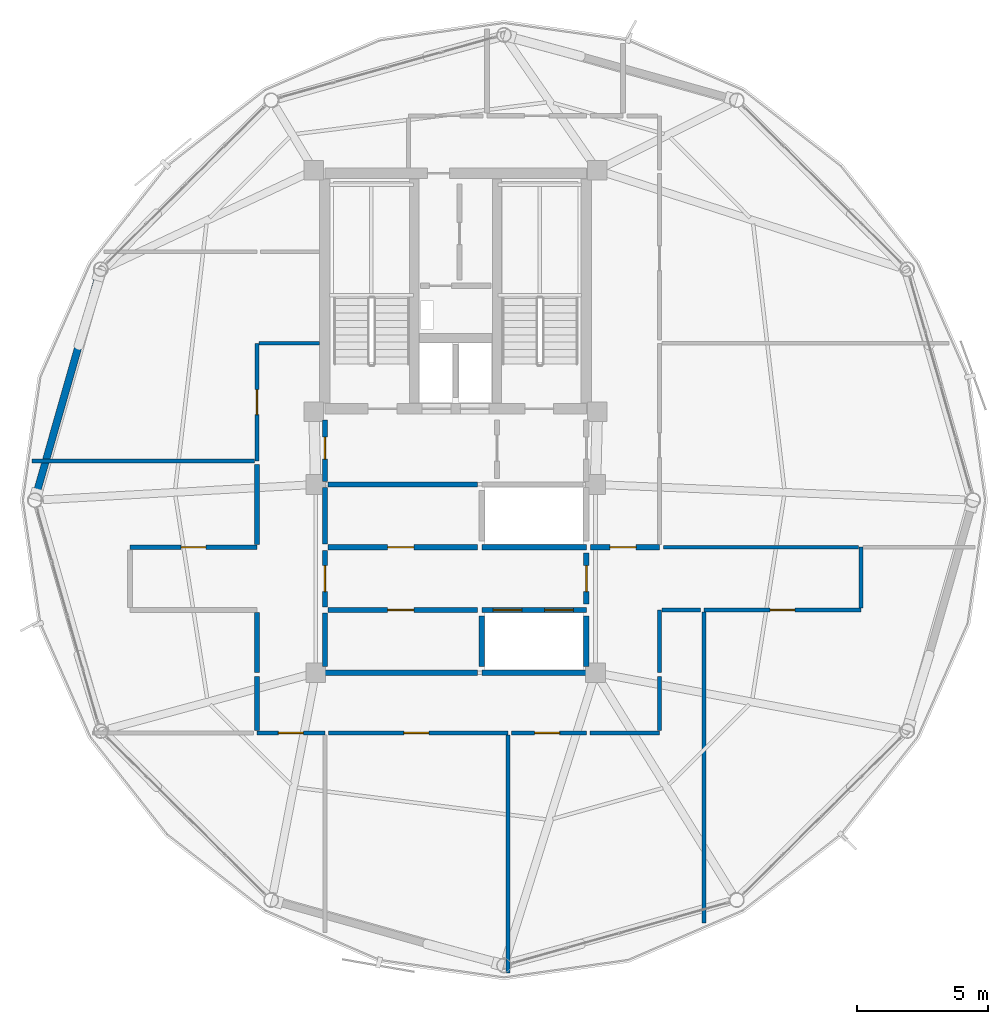
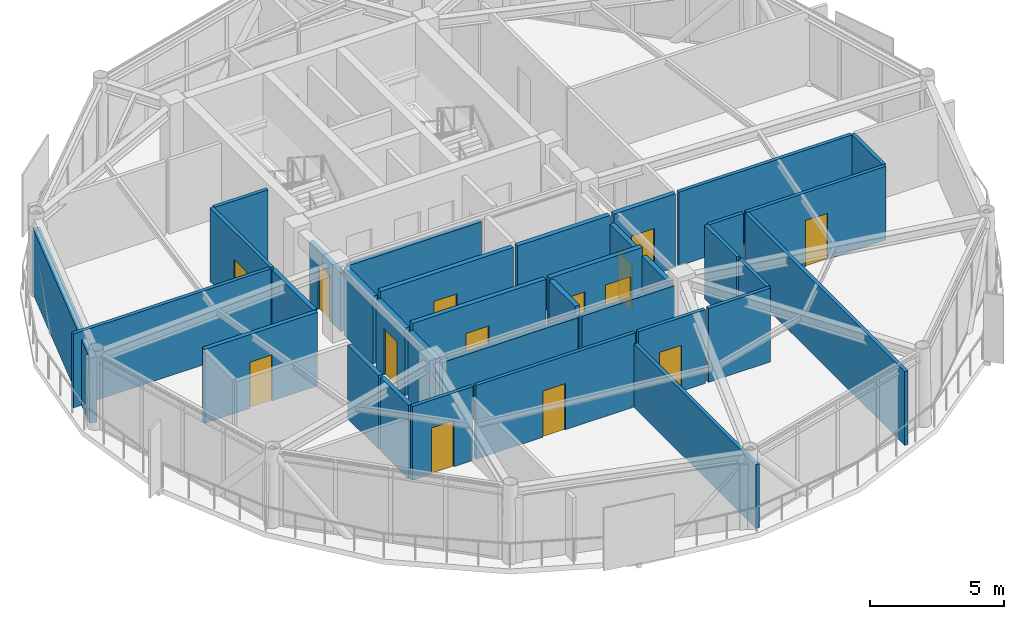
# One storey, part 19 of 25: 35 walls, 14 doors, 14 openings.
"""IFC4 building model written with IfcOpenShell, lengths in metres."""

from ifc_helpers import new_model, si_unit, direction, frame, frame_2d, origin, place, context, subcontext, project, spatial, rectangle, extrude, material, layer, layer_set, type_object, element, fill, save


model = new_model("IFC4")

# Units and contexts
model_context = context("Model", 3, precision=1e-05, world=origin(), true_north=direction((0.0, 1.0)))
body_context = subcontext(model_context, "Body", "Model", "MODEL_VIEW")
ifc_project = project(units=[si_unit("LENGTHUNIT", "METRE"), si_unit("AREAUNIT", "SQUARE_METRE"), si_unit("VOLUMEUNIT", "CUBIC_METRE"), si_unit("PLANEANGLEUNIT", "RADIAN"), si_unit("MASSUNIT", "GRAM", prefix="KILO")], contexts=[model_context])

# Site, building, storey
site_placement = place(None, origin())
site = spatial("IfcSite", under=ifc_project, at=site_placement, CompositionType="ELEMENT")
building_placement = place(site_placement, origin())
building = spatial("IfcBuilding", under=site, at=building_placement, Name="Varnakorn Sky Granary", CompositionType="ELEMENT")
storey_placement = place(building_placement, frame((0.0, 0.0, 277.800048828125)))
storey = spatial("IfcBuildingStorey", under=building, at=storey_placement, Name="L71", CompositionType="ELEMENT", Elevation=277.800048828125)

# Wall
ifc_material_1 = material(Name="Precast concrete C40/50", Category="concrete")
ifc_layer_1 = layer(ifc_material_1, 0.280029296875, Name="Precast concrete C40/50")
ifc_layer_set_1 = layer_set([ifc_layer_1], Name="Precast concrete C40/50")
wall_type_1 = type_object("IfcWallType", Name="WT-EW-CRN-280", PredefinedType="SOLIDWALL", material=ifc_layer_set_1)
wall_1_placement = place(storey_placement, frame((-13.03857421875, 0.2255859375, 0.0), z_axis=(0.0, 0.0, 1.0), x_axis=(0.27454727202, 0.961573603749, 0.0)))
element("IfcWall", 1, at=wall_1_placement, inside=storey, type_object=wall_type_1, Name="Agritech Insulated Precast Facade Wall L71-P06", PredefinedType="SOLIDWALL", context=body_context, shape_type="SweptSolid", body=[
    extrude(rectangle(XDim=8.71728515625, YDim=0.280029296875, at=frame_2d((4.358642578125, 0.0))), origin(), (0.0, 0.0, 1.0), 2.969970703125),
])

# Wall, opening, door
ifc_material_2 = material(Name="Autoclaved Aerated Concrete Blockwork", Category="masonry")
ifc_layer_2 = layer(ifc_material_2, 0.199951171875, Name="Autoclaved Aerated Concrete Blockwork")
ifc_layer_set_2 = layer_set([ifc_layer_2], Name="Autoclaved Aerated Concrete Blockwork")
wall_type_2 = type_object("IfcWallType", Name="WT-FIRE-200", PredefinedType="MOVABLE", material=ifc_layer_set_2)
wall_2_placement = place(storey_placement, frame((-2.0, 0.719970703125, 0.0), z_axis=(0.0, 0.0, 1.0), x_axis=(0.0, 1.0, 0.0)))
wall_2 = element("IfcWall", 2, at=wall_2_placement, inside=storey, type_object=wall_type_2, Name="Interior Partition Wall L71-013", PredefinedType="MOVABLE", context=body_context, shape_type="SweptSolid", body=[
    extrude(rectangle(XDim=2.35009765625, YDim=0.199951171875, at=frame_2d((1.175048828125, 0.0))), origin(), (0.0, 0.0, 1.0), 2.69189453125),
])
opening_1_placement = place(wall_2_placement, frame((0.844970703125, 0.0, 0.0)))
opening_1 = element("IfcOpeningElement", 3, at=opening_1_placement, cuts=wall_2, Name="Opening FD-60N", PredefinedType="OPENING", context=body_context, shape_type="SweptSolid", body=[
    extrude(rectangle(XDim=0.85009765625, YDim=2.10009765625, at=frame_2d((0.425048828125, 1.050048828125))), frame((0.0, 0.10986328125, 0.0), z_axis=(0.0, -1.0, 0.0), x_axis=(1.0, 0.0, 0.0)), (0.0, 0.0, 1.0), 0.219970703125),
])
ifc_material_3 = material(Name="Acoustic Timber Fire Leaf", Category="wood")
door_type_1 = type_object("IfcDoorType", Name="DR-FD60-850", OperationType="NOTDEFINED", PredefinedType="DOOR", material=ifc_material_3)
door_1_placement = place(opening_1_placement, origin())
door_1 = element("IfcDoor", 4, at=door_1_placement, inside=storey, type_object=door_type_1, Name="Interior Door L71-013-1", OperationType="SINGLE_SWING_RIGHT", OverallHeight=2.10009765625, OverallWidth=0.85009765625, PredefinedType="DOOR", context=body_context, shape_type="SweptSolid", body=[
    extrude(rectangle(XDim=0.85009765625, YDim=2.10009765625, at=frame_2d((0.425048828125, 1.050048828125))), frame((0.0, 0.02490234375, 0.0), z_axis=(0.0, -1.0, 0.0), x_axis=(1.0, 0.0, 0.0)), (0.0, 0.0, 1.0), 0.050048828125),
])
fill(opening_1, door_1)

wall_3_placement = place(storey_placement, frame((-2.0, -4.080078125, 0.0), z_axis=(0.0, 0.0, 1.0), x_axis=(0.0, 1.0, 0.0)))
wall_3 = element("IfcWall", 5, at=wall_3_placement, inside=storey, type_object=wall_type_2, Name="Interior Partition Wall L71-015", PredefinedType="MOVABLE", context=body_context, shape_type="SweptSolid", body=[
    extrude(rectangle(XDim=2.16015625, YDim=0.199951171875, at=frame_2d((1.080078125, 0.0))), origin(), (0.0, 0.0, 1.0), 3.072021484375),
])
opening_2_placement = place(wall_3_placement, frame((0.580078125, 0.0, 0.0)))
opening_2 = element("IfcOpeningElement", 6, at=opening_2_placement, cuts=wall_3, Name="Opening FD-60", PredefinedType="OPENING", context=body_context, shape_type="SweptSolid", body=[
    extrude(rectangle(XDim=1.0, YDim=2.10009765625, at=frame_2d((0.5, 1.050048828125))), frame((0.0, 0.10986328125, 0.0), z_axis=(0.0, -1.0, 0.0), x_axis=(1.0, 0.0, 0.0)), (0.0, 0.0, 1.0), 0.219970703125),
])
door_type_2 = type_object("IfcDoorType", Name="DR-FD60-1000", OperationType="NOTDEFINED", PredefinedType="DOOR", material=ifc_material_3)
door_2_placement = place(opening_2_placement, origin())
door_2 = element("IfcDoor", 7, at=door_2_placement, inside=storey, type_object=door_type_2, Name="Interior Door L71-015-1", OperationType="SINGLE_SWING_RIGHT", OverallHeight=2.10009765625, OverallWidth=1.0, PredefinedType="DOOR", context=body_context, shape_type="SweptSolid", body=[
    extrude(rectangle(XDim=1.0, YDim=2.10009765625, at=frame_2d((0.5, 1.050048828125))), frame((0.0, 0.02490234375, 0.0), z_axis=(0.0, -1.0, 0.0), x_axis=(1.0, 0.0, 0.0)), (0.0, 0.0, 1.0), 0.050048828125),
])
fill(opening_2, door_2)

wall_4_placement = place(storey_placement, frame((8.0, -3.969970703125, 0.0), z_axis=(0.0, 0.0, 1.0), x_axis=(0.0, 1.0, 0.0)))
wall_4 = element("IfcWall", 8, at=wall_4_placement, inside=storey, type_object=wall_type_2, Name="Interior Partition Wall L71-016", PredefinedType="MOVABLE", context=body_context, shape_type="SweptSolid", body=[
    extrude(rectangle(XDim=1.93994140625, YDim=0.199951171875, at=frame_2d((0.969970703125, 0.0))), origin(), (0.0, 0.0, 1.0), 3.072021484375),
])
opening_3_placement = place(wall_4_placement, frame((0.469970703125, 0.0, 0.0)))
opening_3 = element("IfcOpeningElement", 9, at=opening_3_placement, cuts=wall_4, Name="Opening FD-60", PredefinedType="OPENING", context=body_context, shape_type="SweptSolid", body=[
    extrude(rectangle(XDim=1.0, YDim=2.10009765625, at=frame_2d((0.5, 1.050048828125))), frame((0.0, 0.10986328125, 0.0), z_axis=(0.0, -1.0, 0.0), x_axis=(1.0, 0.0, 0.0)), (0.0, 0.0, 1.0), 0.219970703125),
])
door_3_placement = place(opening_3_placement, origin())
door_3 = element("IfcDoor", 10, at=door_3_placement, inside=storey, type_object=door_type_2, Name="Interior Door L71-016-1", OperationType="SINGLE_SWING_LEFT", OverallHeight=2.10009765625, OverallWidth=1.0, PredefinedType="DOOR", context=body_context, shape_type="SweptSolid", body=[
    extrude(rectangle(XDim=1.0, YDim=2.10009765625, at=frame_2d((0.5, 1.050048828125))), frame((0.0, 0.02490234375, 0.0), z_axis=(0.0, -1.0, 0.0), x_axis=(1.0, 0.0, 0.0)), (0.0, 0.0, 1.0), 0.050048828125),
])
fill(opening_3, door_3)

wall_5_placement = place(storey_placement, frame((-1.889892578125, -1.800048828125, 0.0), z_axis=(0.0, 0.0, 1.0), x_axis=(1.0, 0.0, 0.0)))
wall_5 = element("IfcWall", 11, at=wall_5_placement, inside=storey, type_object=wall_type_2, Name="Interior Partition Wall L71-017", PredefinedType="MOVABLE", context=body_context, shape_type="SweptSolid", body=[
    extrude(rectangle(XDim=5.72998046875, YDim=0.199951171875, at=frame_2d((2.864990234375, 0.0))), origin(), (0.0, 0.0, 1.0), 3.35986328125),
])
opening_4_placement = place(wall_5_placement, frame((2.2900390625, 0.0, 0.0)))
opening_4 = element("IfcOpeningElement", 12, at=opening_4_placement, cuts=wall_5, Name="Opening FD-60", PredefinedType="OPENING", context=body_context, shape_type="SweptSolid", body=[
    extrude(rectangle(XDim=1.0, YDim=2.10009765625, at=frame_2d((0.5, 1.050048828125))), frame((0.0, 0.10986328125, 0.0), z_axis=(0.0, -1.0, 0.0), x_axis=(1.0, 0.0, 0.0)), (0.0, 0.0, 1.0), 0.219970703125),
])
door_4_placement = place(opening_4_placement, origin())
door_4 = element("IfcDoor", 13, at=door_4_placement, inside=storey, type_object=door_type_2, Name="Interior Door L71-017-1", OperationType="SINGLE_SWING_RIGHT", OverallHeight=2.10009765625, OverallWidth=1.0, PredefinedType="DOOR", context=body_context, shape_type="SweptSolid", body=[
    extrude(rectangle(XDim=1.0, YDim=2.10009765625, at=frame_2d((0.5, 1.050048828125))), frame((0.0, 0.02490234375, 0.0), z_axis=(0.0, -1.0, 0.0), x_axis=(1.0, 0.0, 0.0)), (0.0, 0.0, 1.0), 0.050048828125),
])
fill(opening_4, door_4)

wall_6_placement = place(storey_placement, frame((-1.889892578125, -4.199951171875, 0.0), z_axis=(0.0, 0.0, 1.0), x_axis=(1.0, 0.0, 0.0)))
wall_6 = element("IfcWall", 14, at=wall_6_placement, inside=storey, type_object=wall_type_2, Name="Interior Partition Wall L71-018", PredefinedType="MOVABLE", context=body_context, shape_type="SweptSolid", body=[
    extrude(rectangle(XDim=5.72998046875, YDim=0.199951171875, at=frame_2d((2.864990234375, 0.0))), origin(), (0.0, 0.0, 1.0), 3.35986328125),
])
opening_5_placement = place(wall_6_placement, frame((2.2900390625, 0.0, 0.0)))
opening_5 = element("IfcOpeningElement", 15, at=opening_5_placement, cuts=wall_6, Name="Opening FD-60", PredefinedType="OPENING", context=body_context, shape_type="SweptSolid", body=[
    extrude(rectangle(XDim=1.0, YDim=2.10009765625, at=frame_2d((0.5, 1.050048828125))), frame((0.0, 0.10986328125, 0.0), z_axis=(0.0, -1.0, 0.0), x_axis=(1.0, 0.0, 0.0)), (0.0, 0.0, 1.0), 0.219970703125),
])
door_5_placement = place(opening_5_placement, origin())
door_5 = element("IfcDoor", 16, at=door_5_placement, inside=storey, type_object=door_type_2, Name="Interior Door L71-018-1", OperationType="SINGLE_SWING_LEFT", OverallHeight=2.10009765625, OverallWidth=1.0, PredefinedType="DOOR", context=body_context, shape_type="SweptSolid", body=[
    extrude(rectangle(XDim=1.0, YDim=2.10009765625, at=frame_2d((0.5, 1.050048828125))), frame((0.0, 0.02490234375, 0.0), z_axis=(0.0, -1.0, 0.0), x_axis=(1.0, 0.0, 0.0)), (0.0, 0.0, 1.0), 0.050048828125),
])
fill(opening_5, door_5)

wall_7_placement = place(storey_placement, frame((8.159912109375, -1.800048828125, 0.0), z_axis=(0.0, 0.0, 1.0), x_axis=(1.0, 0.0, 0.0)))
wall_7 = element("IfcWall", 17, at=wall_7_placement, inside=storey, type_object=wall_type_2, Name="Interior Partition Wall L71-019", PredefinedType="MOVABLE", context=body_context, shape_type="SweptSolid", body=[
    extrude(rectangle(XDim=2.64013671875, YDim=0.199951171875, at=frame_2d((1.320068359375, 0.0))), origin(), (0.0, 0.0, 1.0), 3.35986328125),
])
opening_6_placement = place(wall_7_placement, frame((0.739990234375, 0.0, 0.0)))
opening_6 = element("IfcOpeningElement", 18, at=opening_6_placement, cuts=wall_7, Name="Opening FD-60", PredefinedType="OPENING", context=body_context, shape_type="SweptSolid", body=[
    extrude(rectangle(XDim=1.0, YDim=2.10009765625, at=frame_2d((0.5, 1.050048828125))), frame((0.0, 0.10986328125, 0.0), z_axis=(0.0, -1.0, 0.0), x_axis=(1.0, 0.0, 0.0)), (0.0, 0.0, 1.0), 0.219970703125),
])
door_6_placement = place(opening_6_placement, origin())
door_6 = element("IfcDoor", 19, at=door_6_placement, inside=storey, type_object=door_type_2, Name="Interior Door L71-019-1", OperationType="SINGLE_SWING_RIGHT", OverallHeight=2.10009765625, OverallWidth=1.0, PredefinedType="DOOR", context=body_context, shape_type="SweptSolid", body=[
    extrude(rectangle(XDim=1.0, YDim=2.10009765625, at=frame_2d((0.5, 1.050048828125))), frame((0.0, 0.02490234375, 0.0), z_axis=(0.0, -1.0, 0.0), x_axis=(1.0, 0.0, 0.0)), (0.0, 0.0, 1.0), 0.050048828125),
])
fill(opening_6, door_6)

# Walls
wall_8_placement = place(storey_placement, frame((-1.8798828125, 0.60009765625, 0.0), z_axis=(0.0, 0.0, 1.0), x_axis=(1.0, 0.0, 0.0)))
element("IfcWall", 20, at=wall_8_placement, inside=storey, type_object=wall_type_2, Name="Interior Partition Wall L71-030", PredefinedType="MOVABLE", context=body_context, shape_type="SweptSolid", body=[
    extrude(rectangle(XDim=5.719970703125, YDim=0.199951171875, at=frame_2d((2.85986328125, 0.0))), origin(), (0.0, 0.0, 1.0), 3.072021484375),
])
wall_9_placement = place(storey_placement, frame((-2.0, -1.679931640625, 0.0), z_axis=(0.0, 0.0, 1.0), x_axis=(0.0, 1.0, 0.0)))
element("IfcWall", 21, at=wall_9_placement, inside=storey, type_object=wall_type_2, Name="Interior Partition Wall L71-031", PredefinedType="MOVABLE", context=body_context, shape_type="SweptSolid", body=[
    extrude(rectangle(XDim=2.159912109375, YDim=0.199951171875, at=frame_2d((1.080078125, 0.0))), origin(), (0.0, 0.0, 1.0), 3.072021484375),
])
wall_10_placement = place(storey_placement, frame((-2.0, -6.60009765625, 0.0), z_axis=(0.0, 0.0, 1.0), x_axis=(1.0, 0.0, 0.0)))
element("IfcWall", 22, at=wall_10_placement, inside=storey, type_object=wall_type_2, Name="Interior Partition Wall L71-032", PredefinedType="MOVABLE", context=body_context, shape_type="SweptSolid", body=[
    extrude(rectangle(XDim=5.840087890625, YDim=0.199951171875, at=frame_2d((2.919921875, 0.0))), origin(), (0.0, 0.0, 1.0), 3.072021484375),
])
wall_11_placement = place(storey_placement, frame((-2.0, -6.3701171875, 0.0), z_axis=(0.0, 0.0, 1.0), x_axis=(0.0, 1.0, 0.0)))
element("IfcWall", 23, at=wall_11_placement, inside=storey, type_object=wall_type_2, Name="Interior Partition Wall L71-033", PredefinedType="MOVABLE", context=body_context, shape_type="SweptSolid", body=[
    extrude(rectangle(XDim=2.050048828125, YDim=0.199951171875, at=frame_2d((1.02490234375, 0.0))), origin(), (0.0, 0.0, 1.0), 3.072021484375),
])

# Wall, opening, door
ifc_material_4 = material(Name="Gypsum Plasterboard on Steel Stud", Category="steel")
ifc_layer_3 = layer(ifc_material_4, 0.14990234375, Name="Gypsum Plasterboard on Steel Stud")
ifc_layer_set_3 = layer_set([ifc_layer_3], Name="Gypsum Plasterboard on Steel Stud")
wall_type_3 = type_object("IfcWallType", Name="WT-PART-150", PredefinedType="PARTITIONING", material=ifc_layer_set_3)
wall_12_placement = place(storey_placement, frame((-4.60009765625, -8.89990234375, 0.0), z_axis=(0.0, 0.0, 1.0), x_axis=(1.0, 0.0, 0.0)))
wall_12 = element("IfcWall", 24, at=wall_12_placement, inside=storey, type_object=wall_type_3, Name="Interior Partition Wall L71-021", PredefinedType="PARTITIONING", context=body_context, shape_type="SweptSolid", body=[
    extrude(rectangle(XDim=2.60009765625, YDim=0.14990234375, at=frame_2d((1.300048828125, 0.0))), origin(), (0.0, 0.0, 1.0), 3.35986328125),
])
opening_7_placement = place(wall_12_placement, frame((0.824951171875, 0.0, 0.0)))
opening_7 = element("IfcOpeningElement", 25, at=opening_7_placement, cuts=wall_12, Name="Opening ID-95", PredefinedType="OPENING", context=body_context, shape_type="SweptSolid", body=[
    extrude(rectangle(XDim=0.949951171875, YDim=2.10009765625, at=frame_2d((0.47509765625, 1.050048828125))), frame((0.0, 0.0849609375, 0.0), z_axis=(0.0, -1.0, 0.0), x_axis=(1.0, 0.0, 0.0)), (0.0, 0.0, 1.0), 0.169921875),
])
ifc_material_5 = material(Name="Solid-Core Teak Veneer Leaf", Category="timber")
door_type_3 = type_object("IfcDoorType", Name="DR-INT-950", OperationType="NOTDEFINED", PredefinedType="DOOR", material=ifc_material_5)
door_7_placement = place(opening_7_placement, origin())
door_7 = element("IfcDoor", 26, at=door_7_placement, inside=storey, type_object=door_type_3, Name="Interior Door L71-021-1", OperationType="SINGLE_SWING_RIGHT", OverallHeight=2.10009765625, OverallWidth=0.949951171875, PredefinedType="DOOR", context=body_context, shape_type="SweptSolid", body=[
    extrude(rectangle(XDim=0.949951171875, YDim=2.10009765625, at=frame_2d((0.47509765625, 1.050048828125))), frame((0.0, 0.02490234375, 0.0), z_axis=(0.0, -1.0, 0.0), x_axis=(1.0, 0.0, 0.0)), (0.0, 0.0, 1.0), 0.050048828125),
])
fill(opening_7, door_7)

wall_13_placement = place(storey_placement, frame((-1.864990234375, -8.89990234375, 0.0), z_axis=(0.0, 0.0, 1.0), x_axis=(1.0, 0.0, 0.0)))
wall_13 = element("IfcWall", 27, at=wall_13_placement, inside=storey, type_object=wall_type_3, Name="Interior Partition Wall L71-022", PredefinedType="PARTITIONING", context=body_context, shape_type="SweptSolid", body=[
    extrude(rectangle(XDim=6.864990234375, YDim=0.14990234375, at=frame_2d((3.4326171875, 0.0))), origin(), (0.0, 0.0, 1.0), 3.35986328125),
])
opening_8_placement = place(wall_13_placement, frame((2.889892578125, 0.0, 0.0)))
opening_8 = element("IfcOpeningElement", 28, at=opening_8_placement, cuts=wall_13, Name="Opening ID-95", PredefinedType="OPENING", context=body_context, shape_type="SweptSolid", body=[
    extrude(rectangle(XDim=0.949951171875, YDim=2.10009765625, at=frame_2d((0.47509765625, 1.050048828125))), frame((0.0, 0.0849609375, 0.0), z_axis=(0.0, -1.0, 0.0), x_axis=(1.0, 0.0, 0.0)), (0.0, 0.0, 1.0), 0.169921875),
])
door_8_placement = place(opening_8_placement, origin())
door_8 = element("IfcDoor", 29, at=door_8_placement, inside=storey, type_object=door_type_3, Name="Interior Door L71-022-1", OperationType="SINGLE_SWING_LEFT", OverallHeight=2.10009765625, OverallWidth=0.949951171875, PredefinedType="DOOR", context=body_context, shape_type="SweptSolid", body=[
    extrude(rectangle(XDim=0.949951171875, YDim=2.10009765625, at=frame_2d((0.47509765625, 1.050048828125))), frame((0.0, 0.02490234375, 0.0), z_axis=(0.0, -1.0, 0.0), x_axis=(1.0, 0.0, 0.0)), (0.0, 0.0, 1.0), 0.050048828125),
])
fill(opening_8, door_8)

wall_14_placement = place(storey_placement, frame((5.135009765625, -8.89990234375, 0.0), z_axis=(0.0, 0.0, 1.0), x_axis=(1.0, 0.0, 0.0)))
wall_14 = element("IfcWall", 30, at=wall_14_placement, inside=storey, type_object=wall_type_3, Name="Interior Partition Wall L71-023", PredefinedType="PARTITIONING", context=body_context, shape_type="SweptSolid", body=[
    extrude(rectangle(XDim=2.864990234375, YDim=0.14990234375, at=frame_2d((1.4326171875, 0.0))), origin(), (0.0, 0.0, 1.0), 3.35986328125),
])
opening_9_placement = place(wall_14_placement, frame((0.889892578125, 0.0, 0.0)))
opening_9 = element("IfcOpeningElement", 31, at=opening_9_placement, cuts=wall_14, Name="Opening ID-95", PredefinedType="OPENING", context=body_context, shape_type="SweptSolid", body=[
    extrude(rectangle(XDim=0.949951171875, YDim=2.10009765625, at=frame_2d((0.47509765625, 1.050048828125))), frame((0.0, 0.0849609375, 0.0), z_axis=(0.0, -1.0, 0.0), x_axis=(1.0, 0.0, 0.0)), (0.0, 0.0, 1.0), 0.169921875),
])
door_9_placement = place(opening_9_placement, origin())
door_9 = element("IfcDoor", 32, at=door_9_placement, inside=storey, type_object=door_type_3, Name="Interior Door L71-023-1", OperationType="SINGLE_SWING_RIGHT", OverallHeight=2.10009765625, OverallWidth=0.949951171875, PredefinedType="DOOR", context=body_context, shape_type="SweptSolid", body=[
    extrude(rectangle(XDim=0.949951171875, YDim=2.10009765625, at=frame_2d((0.47509765625, 1.050048828125))), frame((0.0, 0.02490234375, 0.0), z_axis=(0.0, -1.0, 0.0), x_axis=(1.0, 0.0, 0.0)), (0.0, 0.0, 1.0), 0.050048828125),
])
fill(opening_9, door_9)

wall_15_placement = place(storey_placement, frame((12.5, -4.199951171875, 0.0), z_axis=(0.0, 0.0, 1.0), x_axis=(1.0, 0.0, 0.0)))
wall_15 = element("IfcWall", 33, at=wall_15_placement, inside=storey, type_object=wall_type_3, Name="Interior Partition Wall L71-024", PredefinedType="PARTITIONING", context=body_context, shape_type="SweptSolid", body=[
    extrude(rectangle(XDim=6.0, YDim=0.14990234375, at=frame_2d((3.0, 0.0))), origin(), (0.0, 0.0, 1.0), 3.35986328125),
])
opening_10_placement = place(wall_15_placement, frame((2.52490234375, 0.0, 0.0)))
opening_10 = element("IfcOpeningElement", 34, at=opening_10_placement, cuts=wall_15, Name="Opening ID-95", PredefinedType="OPENING", context=body_context, shape_type="SweptSolid", body=[
    extrude(rectangle(XDim=0.949951171875, YDim=2.10009765625, at=frame_2d((0.47509765625, 1.050048828125))), frame((0.0, 0.0849609375, 0.0), z_axis=(0.0, -1.0, 0.0), x_axis=(1.0, 0.0, 0.0)), (0.0, 0.0, 1.0), 0.169921875),
])
door_10_placement = place(opening_10_placement, origin())
door_10 = element("IfcDoor", 35, at=door_10_placement, inside=storey, type_object=door_type_3, Name="Interior Door L71-024-1", OperationType="SINGLE_SWING_LEFT", OverallHeight=2.10009765625, OverallWidth=0.949951171875, PredefinedType="DOOR", context=body_context, shape_type="SweptSolid", body=[
    extrude(rectangle(XDim=0.949951171875, YDim=2.10009765625, at=frame_2d((0.47509765625, 1.050048828125))), frame((0.0, 0.02490234375, 0.0), z_axis=(0.0, -1.0, 0.0), x_axis=(1.0, 0.0, 0.0)), (0.0, 0.0, 1.0), 0.050048828125),
])
fill(opening_10, door_10)

wall_16_placement = place(storey_placement, frame((-4.60009765625, 6.0, 0.0), z_axis=(0.0, 0.0, 1.0), x_axis=(0.0, -1.0, 0.0)))
wall_16 = element("IfcWall", 36, at=wall_16_placement, inside=storey, type_object=wall_type_3, Name="Interior Partition Wall L71-026", PredefinedType="PARTITIONING", context=body_context, shape_type="SweptSolid", body=[
    extrude(rectangle(XDim=4.5, YDim=0.14990234375, at=frame_2d((2.25, 0.0))), origin(), (0.0, 0.0, 1.0), 3.35986328125),
])
opening_11_placement = place(wall_16_placement, frame((1.77490234375, 0.0, 0.0)))
opening_11 = element("IfcOpeningElement", 37, at=opening_11_placement, cuts=wall_16, Name="Opening ID-95", PredefinedType="OPENING", context=body_context, shape_type="SweptSolid", body=[
    extrude(rectangle(XDim=0.949951171875, YDim=2.10009765625, at=frame_2d((0.47509765625, 1.050048828125))), frame((0.0, 0.0849609375, 0.0), z_axis=(0.0, -1.0, 0.0), x_axis=(1.0, 0.0, 0.0)), (0.0, 0.0, 1.0), 0.169921875),
])
door_11_placement = place(opening_11_placement, origin())
door_11 = element("IfcDoor", 38, at=door_11_placement, inside=storey, type_object=door_type_3, Name="Interior Door L71-026-1", OperationType="SINGLE_SWING_LEFT", OverallHeight=2.10009765625, OverallWidth=0.949951171875, PredefinedType="DOOR", context=body_context, shape_type="SweptSolid", body=[
    extrude(rectangle(XDim=0.949951171875, YDim=2.10009765625, at=frame_2d((0.47509765625, 1.050048828125))), frame((0.0, 0.02490234375, 0.0), z_axis=(0.0, -1.0, 0.0), x_axis=(1.0, 0.0, 0.0)), (0.0, 0.0, 1.0), 0.050048828125),
])
fill(opening_11, door_11)

# Walls
wall_17_placement = place(storey_placement, frame((5.0, -8.985107421875, 0.0), z_axis=(0.0, 0.0, 1.0), x_axis=(0.0, -1.0, 0.0)))
element("IfcWall", 39, at=wall_17_placement, inside=storey, type_object=wall_type_3, Name="Interior Partition Wall L71-037", PredefinedType="PARTITIONING", context=body_context, shape_type="SweptSolid", body=[
    extrude(rectangle(XDim=9.10595703125, YDim=0.14990234375, at=frame_2d((4.552978515625, 0.0))), origin(), (0.0, 0.0, 1.0), 2.891845703125),
])
wall_18_placement = place(storey_placement, frame((8.135009765625, -8.89990234375, 0.0), z_axis=(0.0, 0.0, 1.0), x_axis=(1.0, 0.0, 0.0)))
element("IfcWall", 40, at=wall_18_placement, inside=storey, type_object=wall_type_3, Name="Interior Partition Wall L71-038", PredefinedType="PARTITIONING", context=body_context, shape_type="SweptSolid", body=[
    extrude(rectangle(XDim=2.6650390625, YDim=0.14990234375, at=frame_2d((1.33251953125, 0.0))), origin(), (0.0, 0.0, 1.0), 3.35986328125),
])
wall_19_placement = place(storey_placement, frame((10.800048828125, -6.60009765625, 0.0), z_axis=(0.0, 0.0, 1.0), x_axis=(0.0, 1.0, 0.0)))
element("IfcWall", 41, at=wall_19_placement, inside=storey, type_object=wall_type_3, Name="Interior Partition Wall L71-039", PredefinedType="PARTITIONING", context=body_context, shape_type="SweptSolid", body=[
    extrude(rectangle(XDim=2.400146484375, YDim=0.14990234375, at=frame_2d((1.2001953125, 0.0))), origin(), (0.0, 0.0, 1.0), 3.35986328125),
])
wall_20_placement = place(storey_placement, frame((10.800048828125, -8.81494140625, 0.0), z_axis=(0.0, 0.0, 1.0), x_axis=(0.0, 1.0, 0.0)))
element("IfcWall", 42, at=wall_20_placement, inside=storey, type_object=wall_type_3, Name="Interior Partition Wall L71-040", PredefinedType="PARTITIONING", context=body_context, shape_type="SweptSolid", body=[
    extrude(rectangle(XDim=2.079833984375, YDim=0.14990234375, at=frame_2d((1.0400390625, 0.0))), origin(), (0.0, 0.0, 1.0), 3.35986328125),
])
wall_21_placement = place(storey_placement, frame((10.885009765625, -4.199951171875, 0.0), z_axis=(0.0, 0.0, 1.0), x_axis=(1.0, 0.0, 0.0)))
element("IfcWall", 43, at=wall_21_placement, inside=storey, type_object=wall_type_3, Name="Interior Partition Wall L71-041", PredefinedType="PARTITIONING", context=body_context, shape_type="SweptSolid", body=[
    extrude(rectangle(XDim=1.47998046875, YDim=0.14990234375, at=frame_2d((0.739990234375, 0.0))), origin(), (0.0, 0.0, 1.0), 3.35986328125),
])
wall_22_placement = place(storey_placement, frame((12.5, -4.284912109375, 0.0), z_axis=(0.0, 0.0, 1.0), x_axis=(0.0, -1.0, 0.0)))
element("IfcWall", 44, at=wall_22_placement, inside=storey, type_object=wall_type_3, Name="Interior Partition Wall L71-042", PredefinedType="PARTITIONING", context=body_context, shape_type="SweptSolid", body=[
    extrude(rectangle(XDim=11.89599609375, YDim=0.14990234375, at=frame_2d((5.947998046875, 0.0))), origin(), (0.0, 0.0, 1.0), 3.35986328125),
])
wall_23_placement = place(storey_placement, frame((18.5, -4.114990234375, 0.0), z_axis=(0.0, 0.0, 1.0), x_axis=(0.0, 1.0, 0.0)))
element("IfcWall", 45, at=wall_23_placement, inside=storey, type_object=wall_type_3, Name="Interior Partition Wall L71-043", PredefinedType="PARTITIONING", context=body_context, shape_type="SweptSolid", body=[
    extrude(rectangle(XDim=2.31494140625, YDim=0.14990234375, at=frame_2d((1.157470703125, 0.0))), origin(), (0.0, 0.0, 1.0), 3.35986328125),
])
wall_24_placement = place(storey_placement, frame((-13.198974609375, 1.5, 0.0), z_axis=(0.0, 0.0, 1.0), x_axis=(1.0, 0.0, 0.0)))
element("IfcWall", 46, at=wall_24_placement, inside=storey, type_object=wall_type_3, Name="Interior Partition Wall L71-050", PredefinedType="PARTITIONING", context=body_context, shape_type="SweptSolid", body=[
    extrude(rectangle(XDim=8.513916015625, YDim=0.14990234375, at=frame_2d((4.2568359375, 0.0))), origin(), (0.0, 0.0, 1.0), 3.35986328125),
])
wall_25_placement = place(storey_placement, frame((-2.2099609375, 6.0, 0.0), z_axis=(0.0, 0.0, 1.0), x_axis=(-1.0, 0.0, 0.0)))
element("IfcWall", 47, at=wall_25_placement, inside=storey, type_object=wall_type_3, Name="Interior Partition Wall L71-051", PredefinedType="PARTITIONING", context=body_context, shape_type="SweptSolid", body=[
    extrude(rectangle(XDim=2.304931640625, YDim=0.14990234375, at=frame_2d((1.15234375, 0.0))), origin(), (0.0, 0.0, 1.0), 3.35986328125),
])
wall_26_placement = place(storey_placement, frame((18.4150390625, -1.800048828125, 0.0), z_axis=(0.0, 0.0, 1.0), x_axis=(-1.0, 0.0, 0.0)))
element("IfcWall", 48, at=wall_26_placement, inside=storey, type_object=wall_type_3, Name="Interior Partition Wall L71-056", PredefinedType="PARTITIONING", context=body_context, shape_type="SweptSolid", body=[
    extrude(rectangle(XDim=7.455078125, YDim=0.14990234375, at=frame_2d((3.7275390625, 0.0))), origin(), (0.0, 0.0, 1.0), 3.35986328125),
])

# Wall, opening, door
ifc_material_6 = material(Name="Moisture-Resistant Gypsum on Stud", Category="gypsum")
ifc_layer_4 = layer(ifc_material_6, 0.179931640625, Name="Moisture-Resistant Gypsum on Stud")
ifc_layer_set_4 = layer_set([ifc_layer_4], Name="Moisture-Resistant Gypsum on Stud")
wall_type_4 = type_object("IfcWallType", Name="WT-PLUMB-180", PredefinedType="PLUMBINGWALL", material=ifc_layer_set_4)
wall_27_placement = place(storey_placement, frame((-4.60009765625, -1.800048828125, 0.0), z_axis=(0.0, 0.0, 1.0), x_axis=(-1.0, 0.0, 0.0)))
wall_27 = element("IfcWall", 49, at=wall_27_placement, inside=storey, type_object=wall_type_4, Name="Interior Partition Wall L71-025", PredefinedType="PLUMBINGWALL", context=body_context, shape_type="SweptSolid", body=[
    extrude(rectangle(XDim=4.852783203125, YDim=0.179931640625, at=frame_2d((2.42626953125, 0.0))), origin(), (0.0, 0.0, 1.0), 3.35986328125),
])
opening_12_placement = place(wall_27_placement, frame((1.950927734375, 0.0, 0.0)))
opening_12 = element("IfcOpeningElement", 50, at=opening_12_placement, cuts=wall_27, Name="Opening ID-95", PredefinedType="OPENING", context=body_context, shape_type="SweptSolid", body=[
    extrude(rectangle(XDim=0.949951171875, YDim=2.10009765625, at=frame_2d((0.47509765625, 1.050048828125))), frame((0.0, 0.10009765625, 0.0), z_axis=(0.0, -1.0, 0.0), x_axis=(1.0, 0.0, 0.0)), (0.0, 0.0, 1.0), 0.199951171875),
])
door_12_placement = place(opening_12_placement, origin())
door_12 = element("IfcDoor", 51, at=door_12_placement, inside=storey, type_object=door_type_3, Name="Interior Door L71-025-1", OperationType="SINGLE_SWING_RIGHT", OverallHeight=2.10009765625, OverallWidth=0.949951171875, PredefinedType="DOOR", context=body_context, shape_type="SweptSolid", body=[
    extrude(rectangle(XDim=0.949951171875, YDim=2.10009765625, at=frame_2d((0.47509765625, 1.050048828125))), frame((0.0, 0.02490234375, 0.0), z_axis=(0.0, -1.0, 0.0), x_axis=(1.0, 0.0, 0.0)), (0.0, 0.0, 1.0), 0.050048828125),
])
fill(opening_12, door_12)

# Walls
wall_28_placement = place(storey_placement, frame((-4.60009765625, 1.364990234375, 0.0), z_axis=(0.0, 0.0, 1.0), x_axis=(0.0, -1.0, 0.0)))
element("IfcWall", 52, at=wall_28_placement, inside=storey, type_object=wall_type_4, Name="Interior Partition Wall L71-046", PredefinedType="PLUMBINGWALL", context=body_context, shape_type="SweptSolid", body=[
    extrude(rectangle(XDim=3.06494140625, YDim=0.179931640625, at=frame_2d((1.532470703125, 0.0))), origin(), (0.0, 0.0, 1.0), 3.35986328125),
])
wall_29_placement = place(storey_placement, frame((-4.60009765625, -4.300048828125, 0.0), z_axis=(0.0, 0.0, 1.0), x_axis=(0.0, -1.0, 0.0)))
element("IfcWall", 53, at=wall_29_placement, inside=storey, type_object=wall_type_4, Name="Interior Partition Wall L71-048", PredefinedType="PLUMBINGWALL", context=body_context, shape_type="SweptSolid", body=[
    extrude(rectangle(XDim=2.300048828125, YDim=0.179931640625, at=frame_2d((1.14990234375, 0.0))), origin(), (0.0, 0.0, 1.0), 3.35986328125),
])
wall_30_placement = place(storey_placement, frame((-4.60009765625, -6.75, 0.0), z_axis=(0.0, 0.0, 1.0), x_axis=(0.0, -1.0, 0.0)))
element("IfcWall", 54, at=wall_30_placement, inside=storey, type_object=wall_type_4, Name="Interior Partition Wall L71-049", PredefinedType="PLUMBINGWALL", context=body_context, shape_type="SweptSolid", body=[
    extrude(rectangle(XDim=2.06494140625, YDim=0.179931640625, at=frame_2d((1.032470703125, 0.0))), origin(), (0.0, 0.0, 1.0), 3.35986328125),
])
ifc_layer_5 = layer(ifc_material_2, 0.199951171875, Name="Autoclaved Aerated Concrete Blockwork")
ifc_layer_set_5 = layer_set([ifc_layer_5], Name="Autoclaved Aerated Concrete Blockwork")
wall_type_5 = type_object("IfcWallType", Name="WT-SHAFT-200", PredefinedType="SOLIDWALL", material=ifc_layer_set_5)
wall_31_placement = place(storey_placement, frame((4.0, -1.800048828125, 0.0), z_axis=(0.0, 0.0, 1.0), x_axis=(1.0, 0.0, 0.0)))
element("IfcWall", 55, at=wall_31_placement, inside=storey, type_object=wall_type_5, Name="Interior Partition Wall L71-003", PredefinedType="SOLIDWALL", context=body_context, shape_type="SweptSolid", body=[
    extrude(rectangle(XDim=4.0, YDim=0.199951171875, at=frame_2d((2.0, 0.0))), origin(), (0.0, 0.0, 1.0), 3.35986328125),
])

# Wall, openings, doors
wall_32_placement = place(storey_placement, frame((4.0, -4.199951171875, 0.0), z_axis=(0.0, 0.0, 1.0), x_axis=(1.0, 0.0, 0.0)))
wall_32 = element("IfcWall", 56, at=wall_32_placement, inside=storey, type_object=wall_type_5, Name="Interior Partition Wall L71-006", PredefinedType="SOLIDWALL", context=body_context, shape_type="SweptSolid", body=[
    extrude(rectangle(XDim=4.0, YDim=0.199951171875, at=frame_2d((2.0, 0.0))), origin(), (0.0, 0.0, 1.0), 3.35986328125),
])
opening_13_placement = place(wall_32_placement, frame((0.429931640625, 0.0, 0.0)))
opening_13 = element("IfcOpeningElement", 57, at=opening_13_placement, cuts=wall_32, Name="Opening LD-01", PredefinedType="OPENING", context=body_context, shape_type="SweptSolid", body=[
    extrude(rectangle(XDim=1.10009765625, YDim=2.199951171875, at=frame_2d((0.550048828125, 1.10009765625))), frame((0.0, 0.10986328125, 0.0), z_axis=(0.0, -1.0, 0.0), x_axis=(1.0, 0.0, 0.0)), (0.0, 0.0, 1.0), 0.219970703125),
])
opening_14_placement = place(wall_32_placement, frame((2.39990234375, 0.0, 0.0)))
opening_14 = element("IfcOpeningElement", 58, at=opening_14_placement, cuts=wall_32, Name="Opening LD-01", PredefinedType="OPENING", context=body_context, shape_type="SweptSolid", body=[
    extrude(rectangle(XDim=1.10009765625, YDim=2.199951171875, at=frame_2d((0.550048828125, 1.10009765625))), frame((0.0, 0.10986328125, 0.0), z_axis=(0.0, -1.0, 0.0), x_axis=(1.0, 0.0, 0.0)), (0.0, 0.0, 1.0), 0.219970703125),
])
ifc_material_7 = material(Name="Brushed Bronze Stainless Steel", Category="steel")
door_type_4 = type_object("IfcDoorType", Name="DR-LD-1100", OperationType="DOUBLE_DOOR_SLIDING", PredefinedType="DOOR", material=ifc_material_7)
door_13_placement = place(opening_13_placement, origin())
door_13 = element("IfcDoor", 59, at=door_13_placement, inside=storey, type_object=door_type_4, Name="Passenger Lift PL-H1 Sliding Landing Door L71", OperationType="DOUBLE_DOOR_SLIDING", OverallHeight=2.199951171875, OverallWidth=1.10009765625, PredefinedType="DOOR", context=body_context, shape_type="SweptSolid", body=[
    extrude(rectangle(XDim=1.10009765625, YDim=2.199951171875, at=frame_2d((0.550048828125, 1.10009765625))), frame((0.0, 0.02490234375, 0.0), z_axis=(0.0, -1.0, 0.0), x_axis=(1.0, 0.0, 0.0)), (0.0, 0.0, 1.0), 0.050048828125),
])
fill(opening_13, door_13)
door_14_placement = place(opening_14_placement, origin())
door_14 = element("IfcDoor", 60, at=door_14_placement, inside=storey, type_object=door_type_4, Name="Passenger Lift PL-H2 Sliding Landing Door L71", OperationType="DOUBLE_DOOR_SLIDING", OverallHeight=2.199951171875, OverallWidth=1.10009765625, PredefinedType="DOOR", context=body_context, shape_type="SweptSolid", body=[
    extrude(rectangle(XDim=1.10009765625, YDim=2.199951171875, at=frame_2d((0.550048828125, 1.10009765625))), frame((0.0, 0.02490234375, 0.0), z_axis=(0.0, -1.0, 0.0), x_axis=(1.0, 0.0, 0.0)), (0.0, 0.0, 1.0), 0.050048828125),
])
fill(opening_14, door_14)

# Walls
wall_33_placement = place(storey_placement, frame((4.0, -6.60009765625, 0.0), z_axis=(0.0, 0.0, 1.0), x_axis=(1.0, 0.0, 0.0)))
element("IfcWall", 61, at=wall_33_placement, inside=storey, type_object=wall_type_5, Name="Interior Partition Wall L71-007", PredefinedType="SOLIDWALL", context=body_context, shape_type="SweptSolid", body=[
    extrude(rectangle(XDim=4.0, YDim=0.199951171875, at=frame_2d((2.0, 0.0))), origin(), (0.0, 0.0, 1.0), 3.072021484375),
])
wall_34_placement = place(storey_placement, frame((4.0, -6.3701171875, 0.0), z_axis=(0.0, 0.0, 1.0), x_axis=(0.0, 1.0, 0.0)))
element("IfcWall", 62, at=wall_34_placement, inside=storey, type_object=wall_type_5, Name="Interior Partition Wall L71-008", PredefinedType="SOLIDWALL", context=body_context, shape_type="SweptSolid", body=[
    extrude(rectangle(XDim=1.940185546875, YDim=0.199951171875, at=frame_2d((0.97021484375, 0.0))), origin(), (0.0, 0.0, 1.0), 3.35986328125),
])
wall_35_placement = place(storey_placement, frame((8.0, -6.3701171875, 0.0), z_axis=(0.0, 0.0, 1.0), x_axis=(0.0, 1.0, 0.0)))
element("IfcWall", 63, at=wall_35_placement, inside=storey, type_object=wall_type_5, Name="Interior Partition Wall L71-009", PredefinedType="SOLIDWALL", context=body_context, shape_type="SweptSolid", body=[
    extrude(rectangle(XDim=1.940185546875, YDim=0.199951171875, at=frame_2d((0.97021484375, 0.0))), origin(), (0.0, 0.0, 1.0), 3.072021484375),
])

save(model, "model.ifc")
